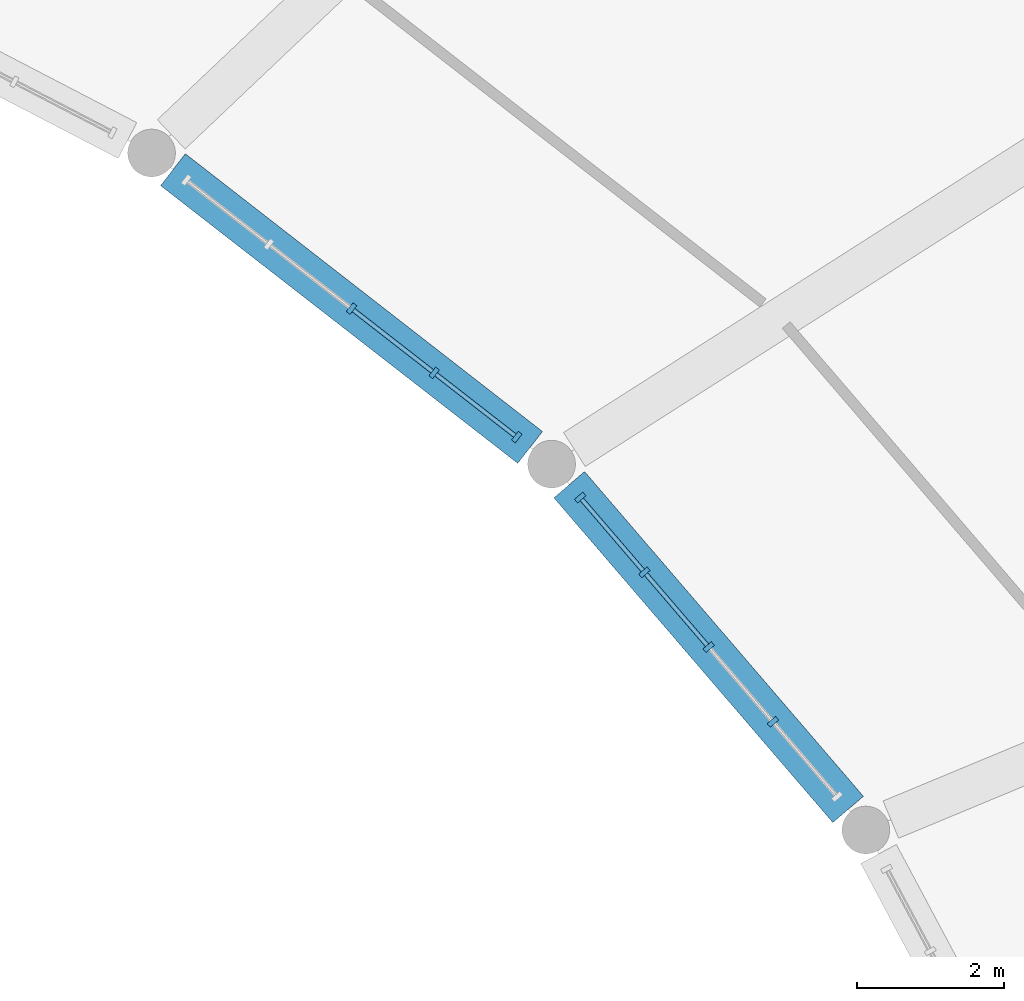
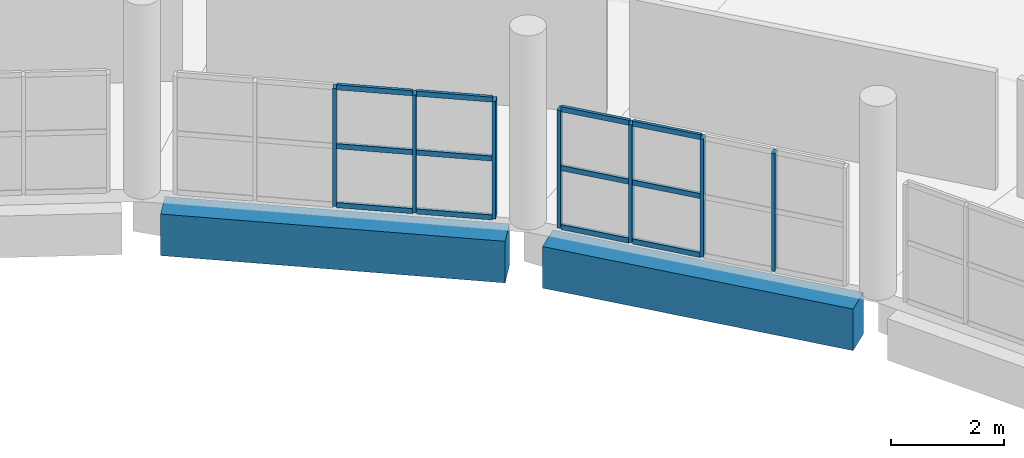
# One storey, part 21 of 142: 19 members, 2 beams, 2 elements without a shape of their own.
"""IFC4 building model written with IfcOpenShell, lengths in metres."""

import ifcopenshell
import ifcopenshell.guid

model = None  # the IFC model being written
_history = None  # IfcOwnerHistory: only IFC2X3 demands one
_inside = {}  # id of a spatial element -> (the spatial element, [elements in it])
_under = {}  # id of a project, library or spatial element -> (it, [spatial elements below it])
_declared = {}  # id of a project -> (the project, [libraries it declares])
_typed = {}  # id of a type object -> (the type object, [elements of that type])
_made_of = {}  # id of a material, layer set ... -> (it, [elements and type objects made of it])


def new_model(schema):
    """Start an empty IFC model of exactly this schema.

    Asked for "IFC4X3", IfcOpenShell would pick the latest addendum, in which some entities
    have other attributes; the version numbers below select the first issue.
    IFC2X3 requires an IfcOwnerHistory on every rooted entity: one is made here for all.
    """
    global model, _history
    if schema == "IFC4X3":
        model = ifcopenshell.file(schema_version=(4, 3, 0, 0))
    else:
        model = ifcopenshell.file(schema=schema)
    _inside.clear()
    _under.clear()
    _declared.clear()
    _typed.clear()
    _made_of.clear()
    _history = None
    if model.schema == "IFC2X3":
        org = make("IfcOrganization", Name="unknown")
        user = make(
            "IfcPersonAndOrganization",
            ThePerson=make("IfcPerson", FamilyName="unknown"),
            TheOrganization=org,
        )
        app = make(
            "IfcApplication",
            ApplicationDeveloper=org,
            Version="unknown",
            ApplicationFullName="unknown",
            ApplicationIdentifier="unknown",
        )
        _history = make(
            "IfcOwnerHistory",
            OwningUser=user,
            OwningApplication=app,
            ChangeAction="ADDED",
            CreationDate=0,
        )
    return model


def make(cls, **values):
    """One entity of the class cls with the attributes given. An attribute that is None is left unset."""
    return model.create_entity(
        cls, **{name: value for name, value in values.items() if value is not None}
    )


def rooted(cls, **values):
    """An entity with a GlobalId (a new one), such as an element, a storey or a relation."""
    return make(cls, GlobalId=ifcopenshell.guid.new(), OwnerHistory=_history, **values)


def si_unit(unit_type, name, prefix=None):
    """IfcSIUnit, for example si_unit("LENGTHUNIT", "METRE", prefix="MILLI")."""
    return make("IfcSIUnit", UnitType=unit_type, Prefix=prefix, Name=name)


def assignment(units):
    """IfcUnitAssignment: the units of a project."""
    return None if units is None else make("IfcUnitAssignment", Units=units)


def point(xyz):
    """IfcCartesianPoint."""
    return None if xyz is None else make("IfcCartesianPoint", Coordinates=xyz)


def direction(xyz):
    """IfcDirection."""
    return None if xyz is None else make("IfcDirection", DirectionRatios=xyz)


def frame(location, z_axis=None, x_axis=None):
    """IfcAxis2Placement3D, a coordinate frame: its origin and axes. An axis left out is left unset."""
    return make(
        "IfcAxis2Placement3D",
        Location=point(location),
        Axis=direction(z_axis),
        RefDirection=direction(x_axis),
    )


def frame_2d(location, x_axis=None):
    """IfcAxis2Placement2D, a coordinate frame in the plane: its origin and x axis."""
    return make(
        "IfcAxis2Placement2D", Location=point(location), RefDirection=direction(x_axis)
    )


def origin():
    """The frame at (0, 0, 0) with its axes left unset."""
    return frame((0.0, 0.0, 0.0))


def origin_2d():
    """The frame at (0, 0) in the plane with its x axis left unset."""
    return frame_2d((0.0, 0.0))


def place(relative_to, where):
    """IfcLocalPlacement: puts the frame where relative to a parent placement (None: the world)."""
    return make(
        "IfcLocalPlacement", PlacementRelTo=relative_to, RelativePlacement=where
    )


def context(
    kind, dimensions, precision=None, world=None, true_north=None, identifier=None
):
    """IfcGeometricRepresentationContext, for example the 3D "Model" context."""
    return make(
        "IfcGeometricRepresentationContext",
        ContextIdentifier=identifier,
        ContextType=kind,
        CoordinateSpaceDimension=dimensions,
        Precision=precision,
        WorldCoordinateSystem=world,
        TrueNorth=true_north,
    )


def subcontext(parent, identifier, kind, view, scale=None):
    """IfcGeometricRepresentationSubContext, for example "Body" below "Model"."""
    return make(
        "IfcGeometricRepresentationSubContext",
        ContextIdentifier=identifier,
        ContextType=kind,
        ParentContext=parent,
        TargetScale=scale,
        TargetView=view,
    )


def project(units=None, contexts=None):
    """IfcProject with its units and contexts."""
    return rooted(
        "IfcProject",
        Name="project",
        RepresentationContexts=contexts,
        UnitsInContext=assignment(units),
    )


def spatial(cls, under=None, at=None, **own):
    """A site, building, storey or space (cls), placed at a placement, below another one or the project."""
    s = rooted(cls, ObjectPlacement=at, **own)
    if under is not None:
        _under.setdefault(under.id(), (under, []))[1].append(s)
    return s


def profile(cls, at=None, kind="AREA", **sizes):
    """A parametric profile (cls). Its sizes go by their IFC names, for example OverallWidth=200.0."""
    return make(cls, ProfileType=kind, Position=at, **sizes)


def rectangle(**sizes):
    """IfcRectangleProfileDef."""
    return profile("IfcRectangleProfileDef", **sizes)


def extrude(swept, where, along, depth):
    """IfcExtrudedAreaSolid: the profile swept, set in the frame where, extruded along a direction by depth."""
    return make(
        "IfcExtrudedAreaSolid",
        SweptArea=swept,
        Position=where,
        ExtrudedDirection=direction(along),
        Depth=depth,
    )


def shape(context_of_items, identifier, shape_type, items):
    """IfcShapeRepresentation: the items that make up one representation, for example the "Body"."""
    return make(
        "IfcShapeRepresentation",
        ContextOfItems=context_of_items,
        RepresentationIdentifier=identifier,
        RepresentationType=shape_type,
        Items=items,
    )


def material(Name=None, Category=None):
    """IfcMaterial."""
    return make("IfcMaterial", Name=Name, Category=Category)


def layer(
    of_material, thickness, ventilated=None, Name=None, Category=None, Priority=None
):
    """IfcMaterialLayer: one layer of a wall or slab, of a material (None: an air gap)."""
    return make(
        "IfcMaterialLayer",
        Material=of_material,
        LayerThickness=thickness,
        IsVentilated=ventilated,
        Name=Name,
        Category=Category,
        Priority=Priority,
    )


def layer_set(layers, Name=None):
    """IfcMaterialLayerSet."""
    return make("IfcMaterialLayerSet", MaterialLayers=layers, LayerSetName=Name)


def material_profile(
    of_material, cross_section, Name=None, Category=None, Priority=None
):
    """IfcMaterialProfile: a cross section and its material."""
    return make(
        "IfcMaterialProfile",
        Name=Name,
        Material=of_material,
        Profile=cross_section,
        Priority=Priority,
        Category=Category,
    )


def profile_set(profiles, Name=None, composite=None):
    """IfcMaterialProfileSet."""
    return make(
        "IfcMaterialProfileSet",
        Name=Name,
        MaterialProfiles=profiles,
        CompositeProfile=composite,
    )


def made_of(thing, what):
    """Note that an element or type object is made of a material, layer set ...; save() writes the relation."""
    if what is not None:
        _made_of.setdefault(what.id(), (what, []))[1].append(thing)
    return thing


def type_object(cls, material=None, **own):
    """A type object (cls), such as IfcWallType, which elements share."""
    return made_of(rooted(cls, **own), material)


def element(
    cls,
    number,
    at=None,
    inside=None,
    cuts=None,
    type_object=None,
    material=None,
    context=None,
    identifier="Body",
    shape_type=None,
    held_by="IfcProductDefinitionShape",
    body=None,
    shapes=None,
    **own,
):
    """One element of the class cls, such as IfcWall. Its Tag is "e" and its number.

    at: its placement. inside: the storey or other place that contains it. cuts: it is an
    opening in that element (IfcRelVoidsElement). A single representation is given by context,
    identifier, shape_type and body (its items); several are given by shapes. held_by: the class
    of the entity that holds the representations. save() writes the other relations.
    """
    e = rooted(cls, Tag="e%d" % number, ObjectPlacement=at, **own)
    if body is not None:
        shapes = [shape(context, identifier, shape_type, body)]
    if shapes is not None:
        e.Representation = make(held_by, Representations=shapes)
    if inside is not None:
        _inside.setdefault(inside.id(), (inside, []))[1].append(e)
    if cuts is not None:
        rooted(
            "IfcRelVoidsElement", RelatingBuildingElement=cuts, RelatedOpeningElement=e
        )
    if type_object is not None:
        _typed.setdefault(type_object.id(), (type_object, []))[1].append(e)
    return made_of(e, material)


def aggregate(whole, parts):
    """IfcRelAggregates: a whole, such as a stair, and the parts it consists of."""
    return rooted("IfcRelAggregates", RelatingObject=whole, RelatedObjects=parts)


def save(model, path):
    """Write the relations noted so far, then the file.

    IfcRelAggregates (storeys below a building ...), IfcRelContainedInSpatialStructure (elements
    in a storey), IfcRelDefinesByType, IfcRelAssociatesMaterial and IfcRelDeclares: one each for
    every whole, place, type object, material and project.
    """
    for whole, parts in _under.values():
        aggregate(whole, parts)
    for where, things in _inside.values():
        rooted(
            "IfcRelContainedInSpatialStructure",
            RelatedElements=things,
            RelatingStructure=where,
        )
    for kind, things in _typed.values():
        rooted("IfcRelDefinesByType", RelatedObjects=things, RelatingType=kind)
    for what, things in _made_of.values():
        rooted("IfcRelAssociatesMaterial", RelatedObjects=things, RelatingMaterial=what)
    for by, libraries in _declared.values():
        rooted("IfcRelDeclares", RelatingContext=by, RelatedDefinitions=libraries)
    model.write(path)


model = new_model("IFC4")

# Units and contexts
model_context = context("Model", 3, precision=1e-05, world=origin(), true_north=direction((0.0, 1.0)))
body_context = subcontext(model_context, "Body", "Model", "MODEL_VIEW")
ifc_project = project(units=[si_unit("LENGTHUNIT", "METRE"), si_unit("AREAUNIT", "SQUARE_METRE"), si_unit("VOLUMEUNIT", "CUBIC_METRE"), si_unit("PLANEANGLEUNIT", "RADIAN"), si_unit("MASSUNIT", "GRAM", prefix="KILO")], contexts=[model_context])

# Site, building, storey
site_placement = place(None, origin())
site = spatial("IfcSite", under=ifc_project, at=site_placement, CompositionType="ELEMENT")
building_placement = place(site_placement, origin())
building = spatial("IfcBuilding", under=site, at=building_placement, Name="Corvandel Quay Wholesale Market", CompositionType="ELEMENT")
storey_placement = place(building_placement, frame((0.0, 0.0, 10.800048828125)))
storey = spatial("IfcBuildingStorey", under=building, at=storey_placement, Name="L02", CompositionType="ELEMENT", Elevation=10.800048828125)

# Curtain wall, members
ifc_material_1 = material(Name="Bronze anodised aluminium and low-E insulated glazing", Category="aluminium")
ifc_layer_1 = layer(ifc_material_1, 0.197998046875)
ifc_layer_set_1 = layer_set([ifc_layer_1], Name="Bronze anodised aluminium and low-E insulated glazing")
curtain_wall_type_1 = type_object("IfcCurtainWallType", Name="Stick Curtain Wall System CW24 H5160", PredefinedType="NOTDEFINED", material=ifc_layer_set_1)
curtain_wall_1_placement = place(storey_placement, origin())
curtain_wall_1 = element("IfcCurtainWall", 1, at=curtain_wall_1_placement, inside=storey, type_object=curtain_wall_type_1, Name="Curtain Wall CW-0008", PredefinedType="NOTDEFINED")
ifc_material_2 = material(Name="Anodised aluminium 6063-T6", Category="aluminium")
ifc_material_profile_1 = material_profile(ifc_material_2, rectangle(XDim=0.06494140625, YDim=0.14990234375, at=origin_2d()), Name="ALU-MUL-65x150")
ifc_profile_set_1 = profile_set([ifc_material_profile_1], Name="Anodised aluminium 6063-T6")
member_type_1 = type_object("IfcMemberType", Name="Curtain Wall Mullion ML02 65x150", PredefinedType="MULLION", material=ifc_profile_set_1)
member_1_placement = place(storey_placement, frame((147.427490234375, 57.897705078125, 0.0), z_axis=(0.0, 0.0, 1.0), x_axis=(-0.651568967347, 0.758589401976, 0.0)))
member_1 = element("IfcMember", 2, at=member_1_placement, type_object=member_type_1, Name="Mullion CW-0008-M01", PredefinedType="MULLION", context=body_context, shape_type="SweptSolid", body=[
    extrude(rectangle(XDim=0.06494140625, YDim=0.14990234375, at=origin_2d()), origin(), (0.0, 0.0, 1.0), 2.550048828125),
])
member_2_placement = place(storey_placement, frame((146.552001953125, 58.9169921875, 0.0), z_axis=(0.0, 0.0, 1.0), x_axis=(-0.651568967347, 0.758589401976, 0.0)))
member_2 = element("IfcMember", 3, at=member_2_placement, type_object=member_type_1, Name="Mullion CW-0008-M02", PredefinedType="MULLION", context=body_context, shape_type="SweptSolid", body=[
    extrude(rectangle(XDim=0.06494140625, YDim=0.14990234375, at=origin_2d()), origin(), (0.0, 0.0, 1.0), 2.550048828125),
])
member_3_placement = place(storey_placement, frame((145.676513671875, 59.9365234375, 0.0), z_axis=(0.0, 0.0, 1.0), x_axis=(-0.651568967347, 0.758589401976, 0.0)))
member_3 = element("IfcMember", 4, at=member_3_placement, type_object=member_type_1, Name="Mullion CW-0008-M03", PredefinedType="MULLION", context=body_context, shape_type="SweptSolid", body=[
    extrude(rectangle(XDim=0.06494140625, YDim=0.14990234375, at=origin_2d()), origin(), (0.0, 0.0, 1.0), 2.550048828125),
])
member_4_placement = place(storey_placement, frame((144.80078125, 60.955810546875, 0.0), z_axis=(0.0, 0.0, 1.0), x_axis=(-0.651568967347, 0.758589401976, 0.0)))
member_4 = element("IfcMember", 5, at=member_4_placement, type_object=member_type_1, Name="Mullion CW-0008-M04", PredefinedType="MULLION", context=body_context, shape_type="SweptSolid", body=[
    extrude(rectangle(XDim=0.06494140625, YDim=0.14990234375, at=origin_2d()), origin(), (0.0, 0.0, 1.0), 2.550048828125),
])

ifc_layer_2 = layer(ifc_material_1, 0.14990234375)
ifc_layer_set_2 = layer_set([ifc_layer_2], Name="Bronze anodised aluminium and low-E insulated glazing")
curtain_wall_type_2 = type_object("IfcCurtainWallType", Name="Stick Curtain Wall System CW25 H5250", PredefinedType="NOTDEFINED", material=ifc_layer_set_2)
curtain_wall_2_placement = place(storey_placement, origin())
curtain_wall_2 = element("IfcCurtainWall", 6, at=curtain_wall_2_placement, inside=storey, type_object=curtain_wall_type_2, Name="Curtain Wall CW-0011", PredefinedType="NOTDEFINED")
member_5_placement = place(storey_placement, frame((143.936279296875, 61.779296875, 0.0), z_axis=(0.0, 0.0, 1.0), x_axis=(-0.789405615633, 0.613871952452, 0.0)))
member_5 = element("IfcMember", 7, at=member_5_placement, type_object=member_type_1, Name="Mullion CW-0011-M00", PredefinedType="MULLION", context=body_context, shape_type="SweptSolid", body=[
    extrude(rectangle(XDim=0.06494140625, YDim=0.14990234375, at=origin_2d()), origin(), (0.0, 0.0, 1.0), 2.550048828125),
])
member_6_placement = place(storey_placement, frame((142.809814453125, 62.655517578125, 0.0), z_axis=(0.0, 0.0, 1.0), x_axis=(-0.789405615633, 0.613871952452, 0.0)))
member_6 = element("IfcMember", 8, at=member_6_placement, type_object=member_type_1, Name="Mullion CW-0011-M01", PredefinedType="MULLION", context=body_context, shape_type="SweptSolid", body=[
    extrude(rectangle(XDim=0.06494140625, YDim=0.14990234375, at=origin_2d()), origin(), (0.0, 0.0, 1.0), 2.550048828125),
])
member_7_placement = place(storey_placement, frame((141.68359375, 63.531494140625, 0.0), z_axis=(0.0, 0.0, 1.0), x_axis=(-0.789405615633, 0.613871952452, 0.0)))
member_7 = element("IfcMember", 9, at=member_7_placement, type_object=member_type_1, Name="Mullion CW-0011-M02", PredefinedType="MULLION", context=body_context, shape_type="SweptSolid", body=[
    extrude(rectangle(XDim=0.06494140625, YDim=0.14990234375, at=origin_2d()), origin(), (0.0, 0.0, 1.0), 2.550048828125),
])

# Member
ifc_material_profile_2 = material_profile(ifc_material_2, rectangle(XDim=0.06005859375, YDim=0.110107421875, at=origin_2d()), Name="ALU-TRN-60x110")
ifc_profile_set_2 = profile_set([ifc_material_profile_2], Name="Anodised aluminium 6063-T6")
member_type_2 = type_object("IfcMemberType", Name="Curtain Wall Transom TR02 60x110", PredefinedType="USERDEFINED", material=ifc_profile_set_2)
member_8_placement = place(storey_placement, frame((146.53076171875, 58.941650390625, 0.0), z_axis=(-0.651529947256, 0.758622915439, 0.0), x_axis=(-0.758622915439, -0.651529947256, 0.0)))
member_8 = element("IfcMember", 10, at=member_8_placement, type_object=member_type_2, Name="Transom CW-0008-T02-0", ObjectType="TRANSOM", PredefinedType="USERDEFINED", context=body_context, shape_type="SweptSolid", body=[
    extrude(rectangle(XDim=0.06005859375, YDim=0.110107421875, at=origin_2d()), origin(), (0.0, 0.0, 1.0), 1.27880859375),
])

member_9_placement = place(storey_placement, frame((146.53076171875, 58.941650390625, 1.27490234375), z_axis=(-0.651529947256, 0.758622915439, 0.0), x_axis=(-0.758622915439, -0.651529947256, 0.0)))
member_9 = element("IfcMember", 11, at=member_9_placement, type_object=member_type_2, Name="Transom CW-0008-T02-1", ObjectType="TRANSOM", PredefinedType="USERDEFINED", context=body_context, shape_type="SweptSolid", body=[
    extrude(rectangle(XDim=0.06005859375, YDim=0.110107421875, at=origin_2d()), origin(), (0.0, 0.0, 1.0), 1.27880859375),
])

member_10_placement = place(storey_placement, frame((146.53076171875, 58.941650390625, 2.550048828125), z_axis=(-0.651529947256, 0.758622915439, 0.0), x_axis=(-0.758622915439, -0.651529947256, 0.0)))
member_10 = element("IfcMember", 12, at=member_10_placement, type_object=member_type_2, Name="Transom CW-0008-T02-2", ObjectType="TRANSOM", PredefinedType="USERDEFINED", context=body_context, shape_type="SweptSolid", body=[
    extrude(rectangle(XDim=0.06005859375, YDim=0.110107421875, at=origin_2d()), origin(), (0.0, 0.0, 1.0), 1.27880859375),
])

member_11_placement = place(storey_placement, frame((145.6552734375, 59.961181640625, 0.0), z_axis=(-0.651624309471, 0.758541863911, 0.0), x_axis=(-0.758541863911, -0.651624309471, 0.0)))
member_11 = element("IfcMember", 13, at=member_11_placement, type_object=member_type_2, Name="Transom CW-0008-T03-0", ObjectType="TRANSOM", PredefinedType="USERDEFINED", context=body_context, shape_type="SweptSolid", body=[
    extrude(rectangle(XDim=0.06005859375, YDim=0.110107421875, at=origin_2d()), origin(), (0.0, 0.0, 1.0), 1.27880859375),
])

member_12_placement = place(storey_placement, frame((145.6552734375, 59.961181640625, 1.27490234375), z_axis=(-0.651624309471, 0.758541863911, 0.0), x_axis=(-0.758541863911, -0.651624309471, 0.0)))
member_12 = element("IfcMember", 14, at=member_12_placement, type_object=member_type_2, Name="Transom CW-0008-T03-1", ObjectType="TRANSOM", PredefinedType="USERDEFINED", context=body_context, shape_type="SweptSolid", body=[
    extrude(rectangle(XDim=0.06005859375, YDim=0.110107421875, at=origin_2d()), origin(), (0.0, 0.0, 1.0), 1.27880859375),
])

member_13_placement = place(storey_placement, frame((145.6552734375, 59.961181640625, 2.550048828125), z_axis=(-0.651624309471, 0.758541863911, 0.0), x_axis=(-0.758541863911, -0.651624309471, 0.0)))
member_13 = element("IfcMember", 15, at=member_13_placement, type_object=member_type_2, Name="Transom CW-0008-T03-2", ObjectType="TRANSOM", PredefinedType="USERDEFINED", context=body_context, shape_type="SweptSolid", body=[
    extrude(rectangle(XDim=0.06005859375, YDim=0.110107421875, at=origin_2d()), origin(), (0.0, 0.0, 1.0), 1.27880859375),
])

aggregate(curtain_wall_1, [member_1, member_2, member_3, member_4, member_8, member_9, member_10, member_11, member_12, member_13])

member_14_placement = place(storey_placement, frame((143.91064453125, 61.79931640625, 0.0), z_axis=(-0.789313604412, 0.613990255533, 0.0), x_axis=(-0.613990255533, -0.789313604412, 0.0)))
member_14 = element("IfcMember", 16, at=member_14_placement, type_object=member_type_2, Name="Transom CW-0011-T00-0", ObjectType="TRANSOM", PredefinedType="USERDEFINED", context=body_context, shape_type="SweptSolid", body=[
    extrude(rectangle(XDim=0.06005859375, YDim=0.110107421875, at=origin_2d()), origin(), (0.0, 0.0, 1.0), 1.36181640625),
])

member_15_placement = place(storey_placement, frame((143.91064453125, 61.79931640625, 1.27490234375), z_axis=(-0.789313604412, 0.613990255533, 0.0), x_axis=(-0.613990255533, -0.789313604412, 0.0)))
member_15 = element("IfcMember", 17, at=member_15_placement, type_object=member_type_2, Name="Transom CW-0011-T00-1", ObjectType="TRANSOM", PredefinedType="USERDEFINED", context=body_context, shape_type="SweptSolid", body=[
    extrude(rectangle(XDim=0.06005859375, YDim=0.110107421875, at=origin_2d()), origin(), (0.0, 0.0, 1.0), 1.36181640625),
])

member_16_placement = place(storey_placement, frame((143.91064453125, 61.79931640625, 2.550048828125), z_axis=(-0.789313604412, 0.613990255533, 0.0), x_axis=(-0.613990255533, -0.789313604412, 0.0)))
member_16 = element("IfcMember", 18, at=member_16_placement, type_object=member_type_2, Name="Transom CW-0011-T00-2", ObjectType="TRANSOM", PredefinedType="USERDEFINED", context=body_context, shape_type="SweptSolid", body=[
    extrude(rectangle(XDim=0.06005859375, YDim=0.110107421875, at=origin_2d()), origin(), (0.0, 0.0, 1.0), 1.36181640625),
])

member_17_placement = place(storey_placement, frame((142.7841796875, 62.67529296875, 0.0), z_axis=(-0.789313604412, 0.613990255533, 0.0), x_axis=(-0.613990255533, -0.789313604412, 0.0)))
member_17 = element("IfcMember", 19, at=member_17_placement, type_object=member_type_2, Name="Transom CW-0011-T01-0", ObjectType="TRANSOM", PredefinedType="USERDEFINED", context=body_context, shape_type="SweptSolid", body=[
    extrude(rectangle(XDim=0.06005859375, YDim=0.110107421875, at=origin_2d()), origin(), (0.0, 0.0, 1.0), 1.36181640625),
])

member_18_placement = place(storey_placement, frame((142.7841796875, 62.67529296875, 1.27490234375), z_axis=(-0.789313604412, 0.613990255533, 0.0), x_axis=(-0.613990255533, -0.789313604412, 0.0)))
member_18 = element("IfcMember", 20, at=member_18_placement, type_object=member_type_2, Name="Transom CW-0011-T01-1", ObjectType="TRANSOM", PredefinedType="USERDEFINED", context=body_context, shape_type="SweptSolid", body=[
    extrude(rectangle(XDim=0.06005859375, YDim=0.110107421875, at=origin_2d()), origin(), (0.0, 0.0, 1.0), 1.36181640625),
])

member_19_placement = place(storey_placement, frame((142.7841796875, 62.67529296875, 2.550048828125), z_axis=(-0.789313604412, 0.613990255533, 0.0), x_axis=(-0.613990255533, -0.789313604412, 0.0)))
member_19 = element("IfcMember", 21, at=member_19_placement, type_object=member_type_2, Name="Transom CW-0011-T01-2", ObjectType="TRANSOM", PredefinedType="USERDEFINED", context=body_context, shape_type="SweptSolid", body=[
    extrude(rectangle(XDim=0.06005859375, YDim=0.110107421875, at=origin_2d()), origin(), (0.0, 0.0, 1.0), 1.36181640625),
])

aggregate(curtain_wall_2, [member_5, member_6, member_7, member_14, member_15, member_16, member_17, member_18, member_19])

# Beams
ifc_material_3 = material(Name="Precast concrete C45/55", Category="concrete")
ifc_material_profile_3 = material_profile(ifc_material_3, rectangle(XDim=0.550048828125, YDim=0.89990234375, at=origin_2d()), Name="PC-GIR-550x900")
ifc_profile_set_3 = profile_set([ifc_material_profile_3], Name="Precast concrete C45/55")
beam_type = type_object("IfcBeamType", Name="Produce Hall Radial Girder G03 550x900", PredefinedType="USERDEFINED", material=ifc_profile_set_3)
beam_1_placement = place(storey_placement, frame((148.452880859375, 56.70361328125, -0.77001953125), z_axis=(-0.651521537179, 0.758630138205, 0.0), x_axis=(-0.758630138205, -0.651521537179, 0.0)))
element("IfcBeam", 22, at=beam_1_placement, inside=storey, type_object=beam_type, Name="Beam BM-0034", ObjectType="GIRDER", PredefinedType="USERDEFINED", context=body_context, shape_type="SweptSolid", body=[
    extrude(rectangle(XDim=0.550048828125, YDim=0.89990234375, at=origin_2d()), origin(), (0.0, 0.0, 1.0), 5.835205078125),
])
beam_2_placement = place(storey_placement, frame((144.117919921875, 61.63818359375, -0.77001953125), z_axis=(-0.789375661281, 0.613910470164, 0.0), x_axis=(-0.613910470164, -0.789375661281, 0.0)))
element("IfcBeam", 23, at=beam_2_placement, inside=storey, type_object=beam_type, Name="Beam BM-0047", ObjectType="GIRDER", PredefinedType="USERDEFINED", context=body_context, shape_type="SweptSolid", body=[
    extrude(rectangle(XDim=0.550048828125, YDim=0.89990234375, at=origin_2d()), origin(), (0.0, 0.0, 1.0), 6.16796875),
])

save(model, "model.ifc")
